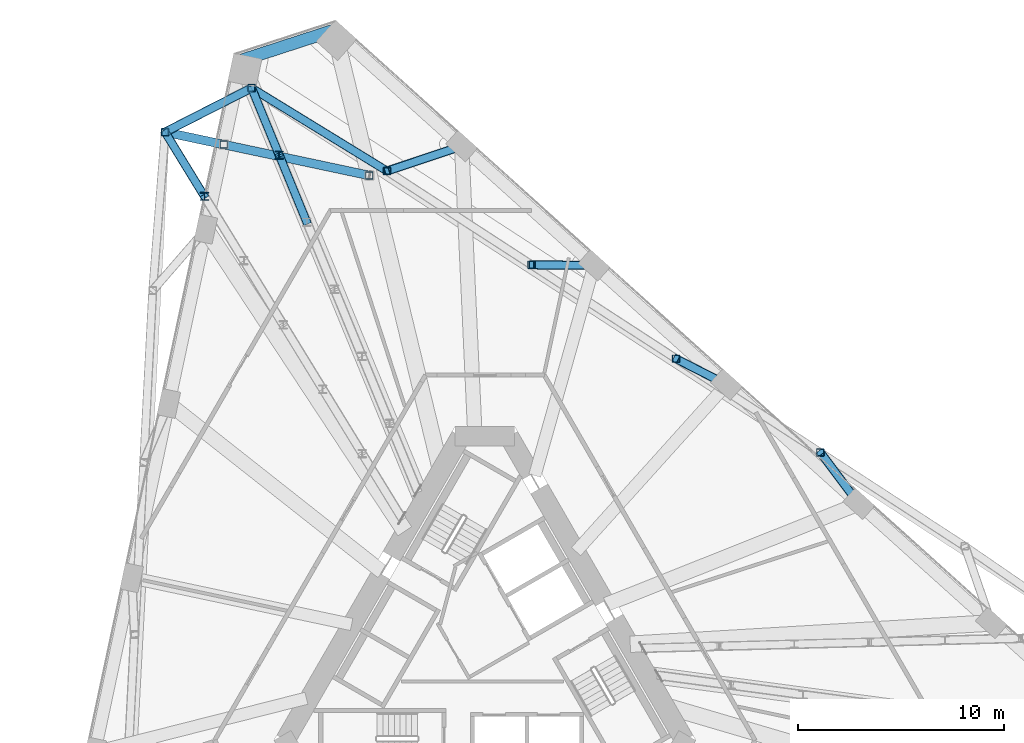
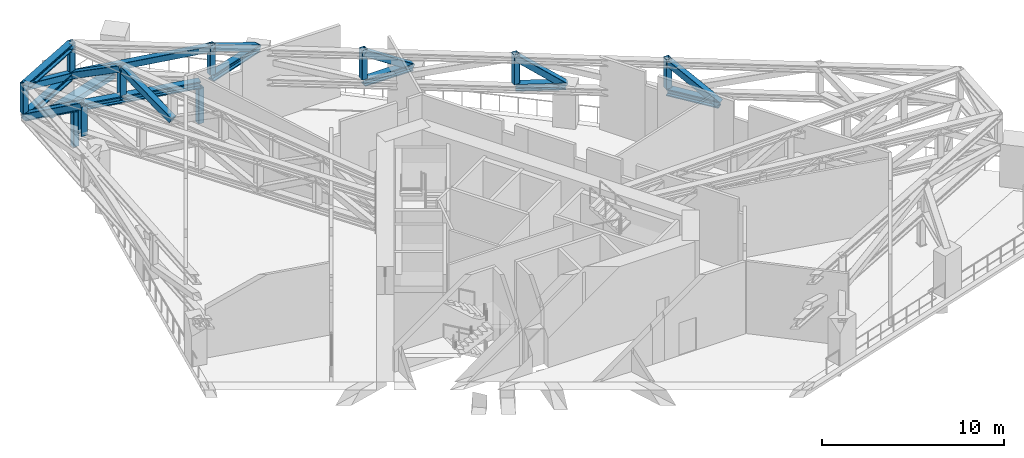
# One storey, part 13 of 24: 26 members, 1 beam.
"""IFC4 building model written with IfcOpenShell, lengths in metres."""

from ifc_helpers import new_model, si_unit, direction, frame, origin, origin_2d, place, context, subcontext, project, spatial, rectangle, hollow_rectangle, i_section, extrude, material, material_profile, profile_set, type_object, element, save


model = new_model("IFC4")

# Units and contexts
model_context = context("Model", 3, precision=1e-05, world=origin(), true_north=direction((0.0, 1.0)))
body_context = subcontext(model_context, "Body", "Model", "MODEL_VIEW")
ifc_project = project(units=[si_unit("LENGTHUNIT", "METRE"), si_unit("AREAUNIT", "SQUARE_METRE"), si_unit("VOLUMEUNIT", "CUBIC_METRE"), si_unit("PLANEANGLEUNIT", "RADIAN"), si_unit("MASSUNIT", "GRAM", prefix="KILO")], contexts=[model_context])

# Site, building, storey
site_placement = place(None, origin())
site = spatial("IfcSite", under=ifc_project, at=site_placement, CompositionType="ELEMENT")
building_placement = place(site_placement, origin())
building = spatial("IfcBuilding", under=site, at=building_placement, Name="Tramontana Tower", CompositionType="ELEMENT")
storey_placement = place(building_placement, frame((0.0, 0.0, 120.39990234375)))
storey = spatial("IfcBuildingStorey", under=building, at=storey_placement, Name="L27", CompositionType="ELEMENT", Elevation=120.39990234375)

# Members
ifc_material_1 = material(Name="Steel ASTM A500 Grade C", Category="steel")
ifc_material_profile_1 = material_profile(ifc_material_1, hollow_rectangle(XDim=0.355712890625, YDim=0.355712890625, WallThickness=0.01171875, InnerFilletRadius=0.01171875, OuterFilletRadius=0.023681640625, at=origin_2d()), Name="HSS14X14X1/2")
ifc_profile_set_1 = profile_set([ifc_material_profile_1], Name="Steel ASTM A500 Grade C")
member_type_1 = type_object("IfcMemberType", Name="Belt truss HSS14X14X1/2 post", PredefinedType="POST", material=ifc_profile_set_1)
for number, where, z_axis, x_axis, name in (
    (1, (-15.54638671875, 25.31298828125, 2.86376953125), (0.0, 0.0, 1.0), (1.0, 0.0, 0.0), "Belt truss post C3K1"),
    (2, (16.30712890625, 9.73974609375, 2.86376953125), (0.0, 0.0, 1.0), (1.0, 0.0, 0.0), "Belt truss post C3F12"),
    (3, (9.2861328125, 14.29931640625, 2.86376953125), (0.0, 0.0, 1.0), (1.0, 0.0, 0.0), "Belt truss post C3F13"),
    (4, (2.26513671875, 18.85888671875, 2.86376953125), (0.0, 0.0, 1.0), (1.0, 0.0, 0.0), "Belt truss post C3F14"),
    (5, (-4.755859375, 23.418212890625, 2.86376953125), (0.0, 0.0, 1.0), (1.0, 0.0, 0.0), "Belt truss post C3F15"),
    (6, (-11.3408203125, 27.4560546875, 2.86376953125), (0.0, 0.0, 1.0), (1.0, 0.0, 0.0), "Belt truss post C3K6"),
):
    element("IfcMember", number, at=place(storey_placement, frame(where, z_axis=z_axis, x_axis=x_axis)), inside=storey, type_object=member_type_1, Name=name, PredefinedType="POST", context=body_context, shape_type="SweptSolid", body=[
        extrude(hollow_rectangle(XDim=0.355712890625, YDim=0.355712890625, WallThickness=0.01171875, InnerFilletRadius=0.01171875, OuterFilletRadius=0.023681640625, at=origin_2d()), origin(), (0.0, 0.0, 1.0), 1.986328125),
    ])
ifc_material_2 = material(Name="Steel ASTM A500 Grade C", Category="steel")
ifc_material_profile_2 = material_profile(ifc_material_2, hollow_rectangle(XDim=0.406494140625, YDim=0.406494140625, WallThickness=0.0146484375, InnerFilletRadius=0.0146484375, OuterFilletRadius=0.029541015625, at=origin_2d()), Name="HSS16X16X5/8")
ifc_profile_set_2 = profile_set([ifc_material_profile_2], Name="Steel ASTM A500 Grade C")
member_type_2 = type_object("IfcMemberType", Name="Belt truss HSS16X16X5/8 brace", PredefinedType="BRACE", material=ifc_profile_set_2)
member_1_placement = place(storey_placement, frame((-4.755859375, 23.418212890625, 4.618408203125), z_axis=(-0.825624355226, 0.506265801983, -0.249077019816), x_axis=(-0.522740664091, -0.85249175838, 0.0)))
element("IfcMember", 7, at=member_1_placement, inside=storey, type_object=member_type_2, Name="Belt truss diagonal S2.6", PredefinedType="BRACE", context=body_context, shape_type="SweptSolid", body=[
    extrude(hollow_rectangle(XDim=0.406494140625, YDim=0.406494140625, WallThickness=0.0146484375, InnerFilletRadius=0.0146484375, OuterFilletRadius=0.029541015625, at=origin_2d()), origin(), (0.0, 0.0, 1.0), 7.975830078125),
])
member_2_placement = place(storey_placement, frame((-11.3408203125, 27.4560546875, 2.6318359375), z_axis=(-0.821218140937, -0.418475144615, 0.387916638384), x_axis=(0.454028055689, -0.890987387479, 0.0)))
element("IfcMember", 8, at=member_2_placement, inside=storey, type_object=member_type_2, Name="Belt truss diagonal K0.1", PredefinedType="BRACE", context=body_context, shape_type="SweptSolid", body=[
    extrude(hollow_rectangle(XDim=0.406494140625, YDim=0.406494140625, WallThickness=0.0146484375, InnerFilletRadius=0.0146484375, OuterFilletRadius=0.029541015625, at=origin_2d()), origin(), (0.0, 0.0, 1.0), 5.12109375),
])
ifc_material_3 = material(Name="Steel ASTM A992 Grade 50", Category="steel")
ifc_material_profile_3 = material_profile(ifc_material_3, i_section(OverallWidth=0.42236328125, OverallDepth=0.463623046875, WebThickness=0.04443359375, FlangeThickness=0.072998046875, FilletRadius=0.014892578125, at=origin_2d()), Name="W14X398")
ifc_profile_set_3 = profile_set([ifc_material_profile_3], Name="Steel ASTM A992 Grade 50")
member_type_3 = type_object("IfcMemberType", Name="Belt truss W14X398 chord", PredefinedType="CHORD", material=ifc_profile_set_3)
for number, where, z_axis, x_axis, name in (
    (9, (-11.3408203125, 27.4560546875, 2.6318359375), (-0.890987387479, -0.454028055689, 0.0), (0.454028055689, -0.890987387479, 0.0), "Belt truss bottom chord K0"),
    (10, (-11.3408203125, 27.4560546875, 4.618408203125), (-0.890987387479, -0.454028055689, 0.0), (0.454028055689, -0.890987387479, 0.0), "Belt truss top chord K0"),
):
    element("IfcMember", number, at=place(storey_placement, frame(where, z_axis=z_axis, x_axis=x_axis)), inside=storey, type_object=member_type_3, Name=name, PredefinedType="CHORD", context=body_context, shape_type="SweptSolid", body=[
        extrude(i_section(OverallWidth=0.42236328125, OverallDepth=0.463623046875, WebThickness=0.04443359375, FlangeThickness=0.072998046875, FilletRadius=0.014892578125, at=origin_2d()), origin(), (0.0, 0.0, 1.0), 4.72021484375),
    ])
ifc_material_4 = material(Name="Steel ASTM A500 Grade C", Category="steel")
ifc_material_profile_4 = material_profile(ifc_material_4, hollow_rectangle(XDim=0.406494140625, YDim=0.406494140625, WallThickness=0.0146484375, InnerFilletRadius=0.0146484375, OuterFilletRadius=0.029541015625, at=origin_2d()), Name="HSS16X16X5/8")
ifc_profile_set_4 = profile_set([ifc_material_profile_4], Name="Steel ASTM A500 Grade C")
member_type_4 = type_object("IfcMemberType", Name="Outrigger truss HSS16X16X5/8 brace", PredefinedType="BRACE", material=ifc_profile_set_4)
for number, where, z_axis, x_axis, name in (
    (11, (-8.655517578125, 20.93408203125, 2.6318359375), (-0.331687088071, 0.805663654368, 0.490805207426), (-0.924701036814, -0.380694093093, 0.0), "Outrigger truss diagonal 5.5"),
    (12, (-9.998046875, 24.195068359375, 4.618408203125), (-0.331740768238, 0.805647534791, -0.490795387482), (-0.924676664755, -0.380753287127, 0.0), "Outrigger truss diagonal 5.6"),
):
    element("IfcMember", number, at=place(storey_placement, frame(where, z_axis=z_axis, x_axis=x_axis)), inside=storey, type_object=member_type_4, Name=name, PredefinedType="BRACE", context=body_context, shape_type="SweptSolid", body=[
        extrude(hollow_rectangle(XDim=0.406494140625, YDim=0.406494140625, WallThickness=0.0146484375, InnerFilletRadius=0.0146484375, OuterFilletRadius=0.029541015625, at=origin_2d()), origin(), (0.0, 0.0, 1.0), 4.047607421875),
    ])
member_3_placement = place(storey_placement, frame((-13.630859375, 22.187744140625, 4.618408203125), z_axis=(-0.459438804593, 0.749589107518, -0.4764789132), x_axis=(-0.852594551661, -0.522572990574, 0.0)))
element("IfcMember", 13, at=member_3_placement, inside=storey, type_object=member_type_4, Name="Outrigger truss diagonal 6.6", PredefinedType="BRACE", context=body_context, shape_type="SweptSolid", body=[
    extrude(hollow_rectangle(XDim=0.406494140625, YDim=0.406494140625, WallThickness=0.0146484375, InnerFilletRadius=0.0146484375, OuterFilletRadius=0.029541015625, at=origin_2d()), origin(), (0.0, 0.0, 1.0), 4.169189453125),
])
ifc_material_5 = material(Name="Steel ASTM A992 Grade 50", Category="steel")
ifc_material_profile_5 = material_profile(ifc_material_5, i_section(OverallWidth=0.39697265625, OverallDepth=0.387451171875, WebThickness=0.020751953125, FlangeThickness=0.033447265625, FilletRadius=0.01513671875, at=origin_2d()), Name="W14X176")
ifc_profile_set_5 = profile_set([ifc_material_profile_5], Name="Steel ASTM A992 Grade 50")
member_type_5 = type_object("IfcMemberType", Name="Outrigger truss W14X176 post", PredefinedType="POST", material=ifc_profile_set_5)
for number, where, z_axis, x_axis, name in (
    (14, (-9.998046875, 24.195068359375, 2.6318359375), (0.0, 0.0, 1.0), (1.0, 0.0, 0.0), "Outrigger truss post 5.5"),
    (15, (-13.630859375, 22.187744140625, 2.6318359375), (0.0, 0.0, 1.0), (1.0, 0.0, 0.0), "Outrigger truss post 6.5"),
):
    element("IfcMember", number, at=place(storey_placement, frame(where, z_axis=z_axis, x_axis=x_axis)), inside=storey, type_object=member_type_5, Name=name, PredefinedType="POST", context=body_context, shape_type="SweptSolid", body=[
        extrude(i_section(OverallWidth=0.39697265625, OverallDepth=0.387451171875, WebThickness=0.020751953125, FlangeThickness=0.033447265625, FilletRadius=0.01513671875, at=origin_2d()), origin(), (0.0, 0.0, 1.0), 1.986572265625),
    ])

# Beam
ifc_material_6 = material(Name="Concrete 40 MPa", Category="concrete")
ifc_material_profile_6 = material_profile(ifc_material_6, rectangle(XDim=0.60009765625, YDim=0.35009765625, at=origin_2d()), Name="RC EDGE BEAM 600X350 40 MPa")
ifc_profile_set_6 = profile_set([ifc_material_profile_6], Name="Concrete 40 MPa")
beam_type = type_object("IfcBeamType", Name="RC EDGE BEAM 600X350 40 MPa", PredefinedType="SPANDREL", material=ifc_profile_set_6)
beam_placement = place(storey_placement, frame((-7.1240234375, 30.333251953125, -0.52490234375), z_axis=(-0.951056854477, -0.309015953557, 0.0), x_axis=(0.309015953557, -0.951056854477, 0.0)))
element("IfcBeam", 16, at=beam_placement, inside=storey, type_object=beam_type, Name="Spandrel beam K0 L27", PredefinedType="SPANDREL", context=body_context, shape_type="SweptSolid", body=[
    extrude(rectangle(XDim=0.60009765625, YDim=0.35009765625, at=origin_2d()), origin(), (0.0, 0.0, 1.0), 5.1962890625),
])

# Members
ifc_material_7 = material(Name="Steel ASTM A500 Grade C", Category="steel")
ifc_material_profile_7 = material_profile(ifc_material_7, hollow_rectangle(XDim=0.355712890625, YDim=0.355712890625, WallThickness=0.01171875, InnerFilletRadius=0.01171875, OuterFilletRadius=0.023681640625, at=origin_2d()), Name="HSS14X14X1/2")
ifc_profile_set_7 = profile_set([ifc_material_profile_7], Name="Steel ASTM A500 Grade C")
member_type_6 = type_object("IfcMemberType", Name="Transfer truss HSS14X14X1/2 post", PredefinedType="POST", material=ifc_profile_set_7)
for number, where, z_axis, x_axis, name in (
    (17, (-12.690673828125, 24.7060546875, 0.0400390625), (0.0, 0.0, 1.0), (1.0, 0.0, 0.0), "Transfer truss post C3K1.1"),
    (18, (-5.6201171875, 23.203125, 0.0400390625), (0.0, 0.0, 1.0), (1.0, 0.0, 0.0), "Transfer truss post C3K1.2"),
):
    element("IfcMember", number, at=place(storey_placement, frame(where, z_axis=z_axis, x_axis=x_axis)), inside=storey, type_object=member_type_6, Name=name, PredefinedType="POST", context=body_context, shape_type="SweptSolid", body=[
        extrude(hollow_rectangle(XDim=0.355712890625, YDim=0.355712890625, WallThickness=0.01171875, InnerFilletRadius=0.01171875, OuterFilletRadius=0.023681640625, at=origin_2d()), origin(), (0.0, 0.0, 1.0), 2.360107421875),
    ])
ifc_material_8 = material(Name="Steel ASTM A500 Grade C", Category="steel")
ifc_material_profile_8 = material_profile(ifc_material_8, hollow_rectangle(XDim=0.406494140625, YDim=0.406494140625, WallThickness=0.0146484375, InnerFilletRadius=0.0146484375, OuterFilletRadius=0.029541015625, at=origin_2d()), Name="HSS16X16X5/8")
ifc_profile_set_8 = profile_set([ifc_material_profile_8], Name="Steel ASTM A500 Grade C")
member_type_7 = type_object("IfcMemberType", Name="Transfer truss HSS16X16X5/8 brace", PredefinedType="BRACE", material=ifc_profile_set_8)
member_4_placement = place(storey_placement, frame((18.17919921875, 7.247314453125, 2.6318359375), z_axis=(-0.506458476187, 0.67428724353, 0.537435135724), x_axis=(-0.799576869028, -0.600563760575, 0.0)))
element("IfcMember", 19, at=member_4_placement, inside=storey, type_object=member_type_7, Name="Transfer truss strut C3F12 diagonal", PredefinedType="BRACE", context=body_context, shape_type="SweptSolid", body=[
    extrude(hollow_rectangle(XDim=0.406494140625, YDim=0.406494140625, WallThickness=0.0146484375, InnerFilletRadius=0.0146484375, OuterFilletRadius=0.029541015625, at=origin_2d()), origin(), (0.0, 0.0, 1.0), 3.6962890625),
])
member_5_placement = place(storey_placement, frame((11.7431640625, 13.042236328125, 2.6318359375), z_axis=(-0.722539932532, 0.369669923749, 0.584191914846), x_axis=(-0.455474173912, -0.890248997135, 0.0)))
element("IfcMember", 20, at=member_5_placement, inside=storey, type_object=member_type_7, Name="Transfer truss strut C3F13 diagonal", PredefinedType="BRACE", context=body_context, shape_type="SweptSolid", body=[
    extrude(hollow_rectangle(XDim=0.406494140625, YDim=0.406494140625, WallThickness=0.0146484375, InnerFilletRadius=0.0146484375, OuterFilletRadius=0.029541015625, at=origin_2d()), origin(), (0.0, 0.0, 1.0), 3.400634765625),
])
member_6_placement = place(storey_placement, frame((5.307373046875, 18.8369140625, 2.6318359375), z_axis=(-0.837279677652, 0.006047281196, 0.54674141217), x_axis=(-0.007222345933, -0.999973918519, 0.0)))
element("IfcMember", 21, at=member_6_placement, inside=storey, type_object=member_type_7, Name="Transfer truss strut C3F14 diagonal", PredefinedType="BRACE", context=body_context, shape_type="SweptSolid", body=[
    extrude(hollow_rectangle(XDim=0.406494140625, YDim=0.406494140625, WallThickness=0.0146484375, InnerFilletRadius=0.0146484375, OuterFilletRadius=0.029541015625, at=origin_2d()), origin(), (0.0, 0.0, 1.0), 3.633544921875),
])
member_7_placement = place(storey_placement, frame((-1.12841796875, 24.6318359375, 2.6318359375), z_axis=(-0.841597914216, -0.281571088408, 0.460902020997), x_axis=(0.317280705678, -0.948331668671, 0.0)))
element("IfcMember", 22, at=member_7_placement, inside=storey, type_object=member_type_7, Name="Transfer truss strut C3F15 diagonal", PredefinedType="BRACE", context=body_context, shape_type="SweptSolid", body=[
    extrude(hollow_rectangle(XDim=0.406494140625, YDim=0.406494140625, WallThickness=0.0146484375, InnerFilletRadius=0.0146484375, OuterFilletRadius=0.029541015625, at=origin_2d()), origin(), (0.0, 0.0, 1.0), 4.310302734375),
])
ifc_material_9 = material(Name="Steel ASTM A992 Grade 50", Category="steel")
ifc_material_profile_9 = material_profile(ifc_material_9, i_section(OverallWidth=0.42236328125, OverallDepth=0.463623046875, WebThickness=0.04443359375, FlangeThickness=0.072998046875, FilletRadius=0.014892578125, at=origin_2d()), Name="W14X398")
ifc_profile_set_9 = profile_set([ifc_material_profile_9], Name="Steel ASTM A992 Grade 50")
member_type_8 = type_object("IfcMemberType", Name="Transfer truss W14X398 chord", PredefinedType="CHORD", material=ifc_profile_set_9)
member_8_placement = place(storey_placement, frame((-15.54638671875, 25.31298828125, 2.6318359375), z_axis=(0.978148210764, -0.207908820833, 0.0), x_axis=(0.207908820833, 0.978148210764, 0.0)))
element("IfcMember", 23, at=member_8_placement, inside=storey, type_object=member_type_8, Name="Transfer truss girder C3K1", PredefinedType="CHORD", context=body_context, shape_type="SweptSolid", body=[
    extrude(i_section(OverallWidth=0.42236328125, OverallDepth=0.463623046875, WebThickness=0.04443359375, FlangeThickness=0.072998046875, FilletRadius=0.014892578125, at=origin_2d()), origin(), (0.0, 0.0, 1.0), 10.14794921875),
])
ifc_material_10 = material(Name="Steel ASTM A992 Grade 50", Category="steel")
ifc_material_profile_10 = material_profile(ifc_material_10, i_section(OverallWidth=0.42236328125, OverallDepth=0.463623046875, WebThickness=0.04443359375, FlangeThickness=0.072998046875, FilletRadius=0.014892578125, at=origin_2d()), Name="W14X398")
ifc_profile_set_10 = profile_set([ifc_material_profile_10], Name="Steel ASTM A992 Grade 50")
member_type_9 = type_object("IfcMemberType", Name="Transfer truss W14X398 strut", PredefinedType="STRUT", material=ifc_profile_set_10)
member_9_placement = place(storey_placement, frame((18.17919921875, 7.247314453125, 2.6318359375), z_axis=(-0.600563760575, 0.799576869028, 0.0), x_axis=(-0.799576869028, -0.600563760575, 0.0)))
element("IfcMember", 24, at=member_9_placement, inside=storey, type_object=member_type_9, Name="Transfer truss strut C3F12 bottom", PredefinedType="STRUT", context=body_context, shape_type="SweptSolid", body=[
    extrude(i_section(OverallWidth=0.42236328125, OverallDepth=0.463623046875, WebThickness=0.04443359375, FlangeThickness=0.072998046875, FilletRadius=0.014892578125, at=origin_2d()), origin(), (0.0, 0.0, 1.0), 3.1171875),
])
member_10_placement = place(storey_placement, frame((11.7431640625, 13.042236328125, 2.6318359375), z_axis=(-0.890248997135, 0.455474173912, 0.0), x_axis=(-0.455474173912, -0.890248997135, 0.0)))
element("IfcMember", 25, at=member_10_placement, inside=storey, type_object=member_type_9, Name="Transfer truss strut C3F13 bottom", PredefinedType="STRUT", context=body_context, shape_type="SweptSolid", body=[
    extrude(i_section(OverallWidth=0.42236328125, OverallDepth=0.463623046875, WebThickness=0.04443359375, FlangeThickness=0.072998046875, FilletRadius=0.014892578125, at=origin_2d()), origin(), (0.0, 0.0, 1.0), 2.760009765625),
])
member_11_placement = place(storey_placement, frame((5.307373046875, 18.8369140625, 2.6318359375), z_axis=(-0.999973918519, 0.007222345933, 0.0), x_axis=(-0.007222345933, -0.999973918519, 0.0)))
element("IfcMember", 26, at=member_11_placement, inside=storey, type_object=member_type_9, Name="Transfer truss strut C3F14 bottom", PredefinedType="STRUT", context=body_context, shape_type="SweptSolid", body=[
    extrude(i_section(OverallWidth=0.42236328125, OverallDepth=0.463623046875, WebThickness=0.04443359375, FlangeThickness=0.072998046875, FilletRadius=0.014892578125, at=origin_2d()), origin(), (0.0, 0.0, 1.0), 3.042236328125),
])
member_12_placement = place(storey_placement, frame((-1.12841796875, 24.6318359375, 2.6318359375), z_axis=(-0.948331668671, -0.317280705678, 0.0), x_axis=(0.317280705678, -0.948331668671, 0.0)))
element("IfcMember", 27, at=member_12_placement, inside=storey, type_object=member_type_9, Name="Transfer truss strut C3F15 bottom", PredefinedType="STRUT", context=body_context, shape_type="SweptSolid", body=[
    extrude(i_section(OverallWidth=0.42236328125, OverallDepth=0.463623046875, WebThickness=0.04443359375, FlangeThickness=0.072998046875, FilletRadius=0.014892578125, at=origin_2d()), origin(), (0.0, 0.0, 1.0), 3.8251953125),
])

save(model, "model.ifc")
